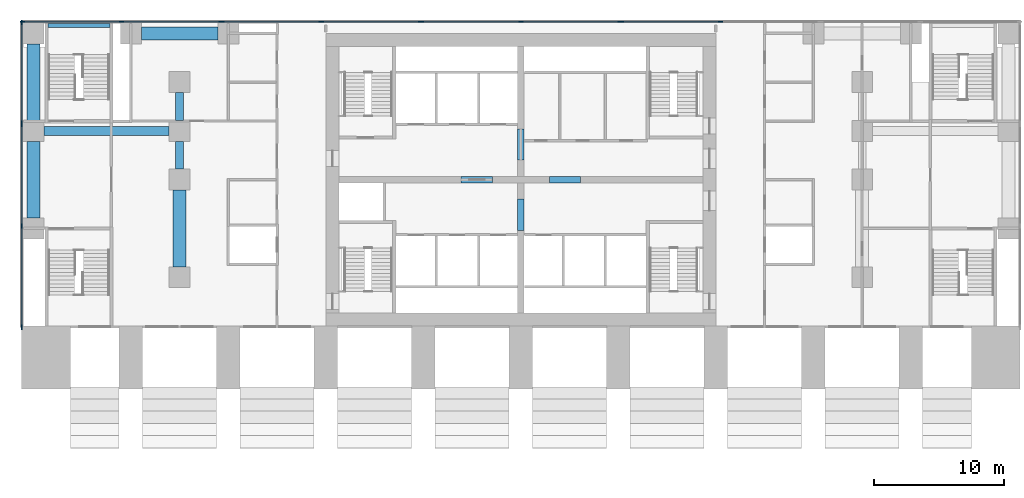
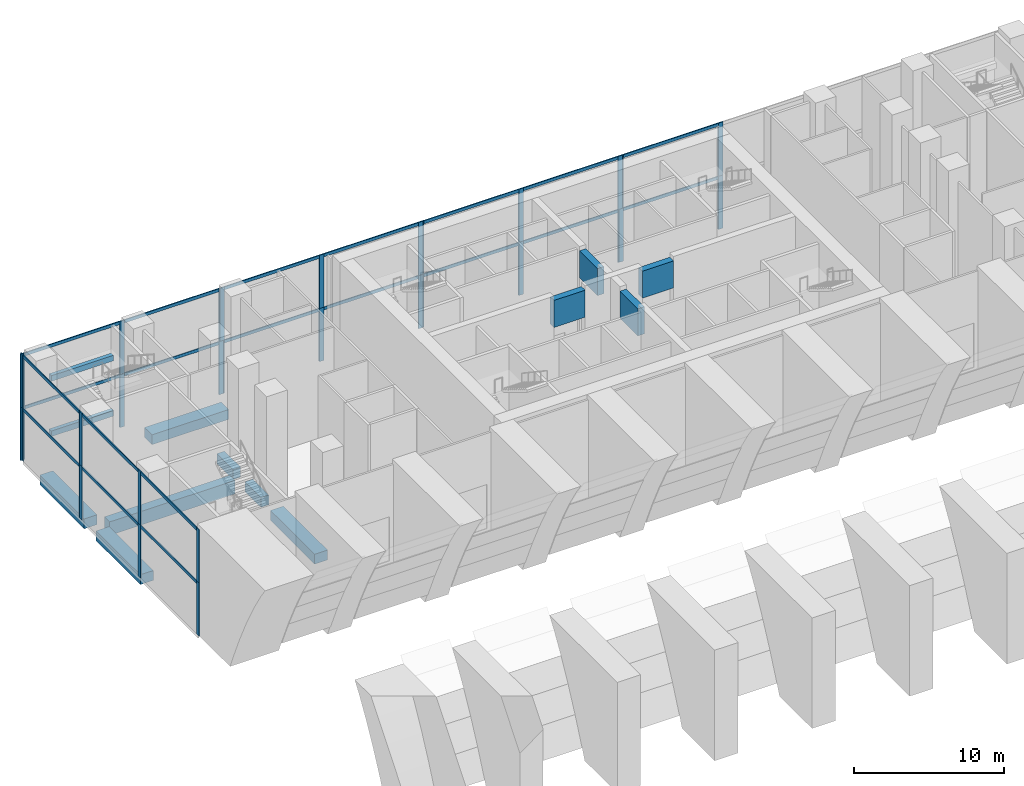
# One storey, part 2 of 14: 52 members, 13 beams, 12 elements without a shape of their own.
"""IFC4 building model written with IfcOpenShell, lengths in metres."""

from ifc_helpers import new_model, si_unit, direction, frame, origin, origin_2d, place, context, subcontext, project, spatial, rectangle, extrude, material, material_profile, profile_set, type_object, element, aggregate, save


model = new_model("IFC4")

# Units and contexts
model_context = context("Model", 3, precision=1e-05, world=origin(), true_north=direction((0.0, 1.0)))
body_context = subcontext(model_context, "Body", "Model", "MODEL_VIEW")
ifc_project = project(units=[si_unit("LENGTHUNIT", "METRE"), si_unit("AREAUNIT", "SQUARE_METRE"), si_unit("VOLUMEUNIT", "CUBIC_METRE"), si_unit("PLANEANGLEUNIT", "RADIAN"), si_unit("MASSUNIT", "GRAM", prefix="KILO")], contexts=[model_context])

# Site, building, storey
site_placement = place(None, origin())
site = spatial("IfcSite", under=ifc_project, at=site_placement, CompositionType="ELEMENT")
building_placement = place(site_placement, origin())
building = spatial("IfcBuilding", under=site, at=building_placement, Name="Pilkhan Gate Tower", CompositionType="ELEMENT")
storey_placement = place(building_placement, frame((0.0, 0.0, 7.5)))
storey = spatial("IfcBuildingStorey", under=building, at=storey_placement, Name="L01", CompositionType="ELEMENT", Elevation=7.5)

# Beams
ifc_material_1 = material(Name="Concrete C70/85", Category="concrete")
ifc_material_profile_1 = material_profile(ifc_material_1, rectangle(XDim=0.5, YDim=2.199951171875, at=origin_2d()), Name="RC 500x2200")
ifc_profile_set_1 = profile_set([ifc_material_profile_1], Name="Concrete C70/85")
beam_type_1 = type_object("IfcBeamType", Name="Coupling beam CB220 RC 500x2200 C70/85", PredefinedType="LINTEL", material=ifc_profile_set_1)
for number, where, z_axis, x_axis, name in (
    (1, (70.39990234375, 82.5, 7.550048828125), (1.0, 0.0, 0.0), (0.0, 1.0, 0.0), "Coupling beam 1 L01"),
    (2, (77.199951171875, 82.5, 7.550048828125), (1.0, 0.0, 0.0), (0.0, 1.0, 0.0), "Coupling beam 2 L01"),
):
    element("IfcBeam", number, at=place(storey_placement, frame(where, z_axis=z_axis, x_axis=x_axis)), inside=storey, type_object=beam_type_1, Name=name, PredefinedType="LINTEL", context=body_context, shape_type="SweptSolid", body=[
        extrude(rectangle(XDim=0.5, YDim=2.199951171875, at=origin_2d()), origin(), (0.0, 0.0, 1.0), 2.400146484375),
    ])
for number, where, z_axis, x_axis, name in (
    (3, (75.0, 78.60009765625, 7.550048828125), (0.0, 1.0, 0.0), (-1.0, 0.0, 0.0), "Coupling beam 3 L01"),
    (4, (75.0, 84.0, 7.550048828125), (0.0, 1.0, 0.0), (-1.0, 0.0, 0.0), "Coupling beam 4 L01"),
):
    element("IfcBeam", number, at=place(storey_placement, frame(where, z_axis=z_axis, x_axis=x_axis)), inside=storey, type_object=beam_type_1, Name=name, PredefinedType="LINTEL", context=body_context, shape_type="SweptSolid", body=[
        extrude(rectangle(XDim=0.5, YDim=2.199951171875, at=origin_2d()), origin(), (0.0, 0.0, 1.0), 2.39990234375),
    ])
ifc_material_2 = material(Name="Concrete C50/60", Category="concrete")
ifc_material_profile_2 = material_profile(ifc_material_2, rectangle(XDim=0.300048828125, YDim=0.449951171875, at=origin_2d()), Name="RC 300x450")
ifc_profile_set_2 = profile_set([ifc_material_profile_2], Name="Concrete C50/60")
beam_type_2 = type_object("IfcBeamType", Name="Landing support beam LB RC 300x450 C50/60", PredefinedType="BEAM", material=ifc_profile_set_2)
for number, where, z_axis, x_axis, name in (
    (5, (38.60498046875, 94.35009765625, 1.675048828125), (1.0, 0.0, 0.0), (0.0, 1.0, 0.0), "Landing support beam PS1-1 L01"),
    (6, (38.60498046875, 94.35009765625, 6.175048828125), (1.0, 0.0, 0.0), (0.0, 1.0, 0.0), "Landing support beam PS1-3 L01"),
):
    element("IfcBeam", number, at=place(storey_placement, frame(where, z_axis=z_axis, x_axis=x_axis)), inside=storey, type_object=beam_type_2, Name=name, PredefinedType="BEAM", context=body_context, shape_type="SweptSolid", body=[
        extrude(rectangle(XDim=0.300048828125, YDim=0.449951171875, at=origin_2d()), origin(), (0.0, 0.0, 1.0), 4.7900390625),
    ])

# Curtain wall, members
ifc_material_3 = material(Name="Pale anodised aluminium, clear low-iron laminated glazing", Category="aluminium")
curtain_wall_type = type_object("IfcCurtainWallType", Name="Podium unitised curtain wall CW-P", PredefinedType="USERDEFINED", material=ifc_material_3)
curtain_wall_1_placement = place(storey_placement, origin())
curtain_wall_1 = element("IfcCurtainWall", 7, at=curtain_wall_1_placement, inside=storey, type_object=curtain_wall_type, Name="Podium unitised curtain wall CW-P L01 N", ObjectType="UNITISED CURTAIN WALL", PredefinedType="USERDEFINED")
ifc_material_4 = material(Name="Pale anodised aluminium", Category="aluminium")
ifc_material_profile_3 = material_profile(ifc_material_4, rectangle(XDim=0.080078125, YDim=0.35009765625, at=origin_2d()), Name="Mullion 350x80")
ifc_profile_set_3 = profile_set([ifc_material_profile_3], Name="Pale anodised aluminium")
member_type_1 = type_object("IfcMemberType", Name="Mullion CW-P 350x80", PredefinedType="MULLION", material=ifc_profile_set_3)
member_1_placement = place(storey_placement, frame((36.64501953125, 94.64501953125, 0.0), z_axis=(0.0, 0.0, 1.0), x_axis=(0.0, 1.0, 0.0)))
member_1 = element("IfcMember", 8, at=member_1_placement, type_object=member_type_1, Name="CW-P mullion 1", PredefinedType="MULLION", context=body_context, shape_type="SweptSolid", body=[
    extrude(rectangle(XDim=0.080078125, YDim=0.35009765625, at=origin_2d()), origin(), (0.0, 0.0, 1.0), 4.324951171875),
])
member_2_placement = place(storey_placement, frame((44.283935546875, 94.64501953125, 0.0), z_axis=(0.0, 0.0, 1.0), x_axis=(0.0, 1.0, 0.0)))
member_2 = element("IfcMember", 9, at=member_2_placement, type_object=member_type_1, Name="CW-P mullion 2", PredefinedType="MULLION", context=body_context, shape_type="SweptSolid", body=[
    extrude(rectangle(XDim=0.080078125, YDim=0.35009765625, at=origin_2d()), origin(), (0.0, 0.0, 1.0), 4.324951171875),
])
member_3_placement = place(storey_placement, frame((51.923095703125, 94.64501953125, 0.0), z_axis=(0.0, 0.0, 1.0), x_axis=(0.0, 1.0, 0.0)))
member_3 = element("IfcMember", 10, at=member_3_placement, type_object=member_type_1, Name="CW-P mullion 3", PredefinedType="MULLION", context=body_context, shape_type="SweptSolid", body=[
    extrude(rectangle(XDim=0.080078125, YDim=0.35009765625, at=origin_2d()), origin(), (0.0, 0.0, 1.0), 4.324951171875),
])

curtain_wall_2_placement = place(storey_placement, origin())
curtain_wall_2 = element("IfcCurtainWall", 11, at=curtain_wall_2_placement, inside=storey, type_object=curtain_wall_type, Name="Podium unitised curtain wall CW-P L01 N", ObjectType="UNITISED CURTAIN WALL", PredefinedType="USERDEFINED")
member_4_placement = place(storey_placement, frame((52.0029296875, 94.64501953125, 0.0), z_axis=(0.0, 0.0, 1.0), x_axis=(0.0, 1.0, 0.0)))
member_4 = element("IfcMember", 12, at=member_4_placement, type_object=member_type_1, Name="CW-P mullion 1", PredefinedType="MULLION", context=body_context, shape_type="SweptSolid", body=[
    extrude(rectangle(XDim=0.080078125, YDim=0.35009765625, at=origin_2d()), origin(), (0.0, 0.0, 1.0), 4.324951171875),
])
member_5_placement = place(storey_placement, frame((59.64208984375, 94.64501953125, 0.0), z_axis=(0.0, 0.0, 1.0), x_axis=(0.0, 1.0, 0.0)))
member_5 = element("IfcMember", 13, at=member_5_placement, type_object=member_type_1, Name="CW-P mullion 2", PredefinedType="MULLION", context=body_context, shape_type="SweptSolid", body=[
    extrude(rectangle(XDim=0.080078125, YDim=0.35009765625, at=origin_2d()), origin(), (0.0, 0.0, 1.0), 4.324951171875),
])
member_6_placement = place(storey_placement, frame((67.281005859375, 94.64501953125, 0.0), z_axis=(0.0, 0.0, 1.0), x_axis=(0.0, 1.0, 0.0)))
member_6 = element("IfcMember", 14, at=member_6_placement, type_object=member_type_1, Name="CW-P mullion 3", PredefinedType="MULLION", context=body_context, shape_type="SweptSolid", body=[
    extrude(rectangle(XDim=0.080078125, YDim=0.35009765625, at=origin_2d()), origin(), (0.0, 0.0, 1.0), 4.324951171875),
])

curtain_wall_3_placement = place(storey_placement, origin())
curtain_wall_3 = element("IfcCurtainWall", 15, at=curtain_wall_3_placement, inside=storey, type_object=curtain_wall_type, Name="Podium unitised curtain wall CW-P L01 N", ObjectType="UNITISED CURTAIN WALL", PredefinedType="USERDEFINED")
member_7_placement = place(storey_placement, frame((67.361083984375, 94.64501953125, 0.0), z_axis=(0.0, 0.0, 1.0), x_axis=(0.0, 1.0, 0.0)))
member_7 = element("IfcMember", 16, at=member_7_placement, type_object=member_type_1, Name="CW-P mullion 1", PredefinedType="MULLION", context=body_context, shape_type="SweptSolid", body=[
    extrude(rectangle(XDim=0.080078125, YDim=0.35009765625, at=origin_2d()), origin(), (0.0, 0.0, 1.0), 4.324951171875),
])
member_8_placement = place(storey_placement, frame((75.0, 94.64501953125, 0.0), z_axis=(0.0, 0.0, 1.0), x_axis=(0.0, 1.0, 0.0)))
member_8 = element("IfcMember", 17, at=member_8_placement, type_object=member_type_1, Name="CW-P mullion 2", PredefinedType="MULLION", context=body_context, shape_type="SweptSolid", body=[
    extrude(rectangle(XDim=0.080078125, YDim=0.35009765625, at=origin_2d()), origin(), (0.0, 0.0, 1.0), 4.324951171875),
])
member_9_placement = place(storey_placement, frame((82.638916015625, 94.64501953125, 0.0), z_axis=(0.0, 0.0, 1.0), x_axis=(0.0, 1.0, 0.0)))
member_9 = element("IfcMember", 18, at=member_9_placement, type_object=member_type_1, Name="CW-P mullion 3", PredefinedType="MULLION", context=body_context, shape_type="SweptSolid", body=[
    extrude(rectangle(XDim=0.080078125, YDim=0.35009765625, at=origin_2d()), origin(), (0.0, 0.0, 1.0), 4.324951171875),
])

curtain_wall_4_placement = place(storey_placement, origin())
curtain_wall_4 = element("IfcCurtainWall", 19, at=curtain_wall_4_placement, inside=storey, type_object=curtain_wall_type, Name="Podium unitised curtain wall CW-P L01 N", ObjectType="UNITISED CURTAIN WALL", PredefinedType="USERDEFINED")
member_10_placement = place(storey_placement, frame((82.718994140625, 94.64501953125, 0.0), z_axis=(0.0, 0.0, 1.0), x_axis=(0.0, 1.0, 0.0)))
member_10 = element("IfcMember", 20, at=member_10_placement, type_object=member_type_1, Name="CW-P mullion 1", PredefinedType="MULLION", context=body_context, shape_type="SweptSolid", body=[
    extrude(rectangle(XDim=0.080078125, YDim=0.35009765625, at=origin_2d()), origin(), (0.0, 0.0, 1.0), 4.324951171875),
])
member_11_placement = place(storey_placement, frame((90.35791015625, 94.64501953125, 0.0), z_axis=(0.0, 0.0, 1.0), x_axis=(0.0, 1.0, 0.0)))
member_11 = element("IfcMember", 21, at=member_11_placement, type_object=member_type_1, Name="CW-P mullion 2", PredefinedType="MULLION", context=body_context, shape_type="SweptSolid", body=[
    extrude(rectangle(XDim=0.080078125, YDim=0.35009765625, at=origin_2d()), origin(), (0.0, 0.0, 1.0), 4.324951171875),
])

curtain_wall_5_placement = place(storey_placement, origin())
curtain_wall_5 = element("IfcCurtainWall", 22, at=curtain_wall_5_placement, inside=storey, type_object=curtain_wall_type, Name="Podium unitised curtain wall CW-P L01 N", ObjectType="UNITISED CURTAIN WALL", PredefinedType="USERDEFINED")
member_12_placement = place(storey_placement, frame((36.64501953125, 94.64501953125, 4.324951171875), z_axis=(0.0, 0.0, 1.0), x_axis=(0.0, 1.0, 0.0)))
member_12 = element("IfcMember", 23, at=member_12_placement, type_object=member_type_1, Name="CW-P mullion 1", PredefinedType="MULLION", context=body_context, shape_type="SweptSolid", body=[
    extrude(rectangle(XDim=0.080078125, YDim=0.35009765625, at=origin_2d()), origin(), (0.0, 0.0, 1.0), 4.324951171875),
])
member_13_placement = place(storey_placement, frame((44.283935546875, 94.64501953125, 4.324951171875), z_axis=(0.0, 0.0, 1.0), x_axis=(0.0, 1.0, 0.0)))
member_13 = element("IfcMember", 24, at=member_13_placement, type_object=member_type_1, Name="CW-P mullion 2", PredefinedType="MULLION", context=body_context, shape_type="SweptSolid", body=[
    extrude(rectangle(XDim=0.080078125, YDim=0.35009765625, at=origin_2d()), origin(), (0.0, 0.0, 1.0), 4.324951171875),
])
member_14_placement = place(storey_placement, frame((51.923095703125, 94.64501953125, 4.324951171875), z_axis=(0.0, 0.0, 1.0), x_axis=(0.0, 1.0, 0.0)))
member_14 = element("IfcMember", 25, at=member_14_placement, type_object=member_type_1, Name="CW-P mullion 3", PredefinedType="MULLION", context=body_context, shape_type="SweptSolid", body=[
    extrude(rectangle(XDim=0.080078125, YDim=0.35009765625, at=origin_2d()), origin(), (0.0, 0.0, 1.0), 4.324951171875),
])

curtain_wall_6_placement = place(storey_placement, origin())
curtain_wall_6 = element("IfcCurtainWall", 26, at=curtain_wall_6_placement, inside=storey, type_object=curtain_wall_type, Name="Podium unitised curtain wall CW-P L01 N", ObjectType="UNITISED CURTAIN WALL", PredefinedType="USERDEFINED")
member_15_placement = place(storey_placement, frame((52.0029296875, 94.64501953125, 4.324951171875), z_axis=(0.0, 0.0, 1.0), x_axis=(0.0, 1.0, 0.0)))
member_15 = element("IfcMember", 27, at=member_15_placement, type_object=member_type_1, Name="CW-P mullion 1", PredefinedType="MULLION", context=body_context, shape_type="SweptSolid", body=[
    extrude(rectangle(XDim=0.080078125, YDim=0.35009765625, at=origin_2d()), origin(), (0.0, 0.0, 1.0), 4.324951171875),
])
member_16_placement = place(storey_placement, frame((59.64208984375, 94.64501953125, 4.324951171875), z_axis=(0.0, 0.0, 1.0), x_axis=(0.0, 1.0, 0.0)))
member_16 = element("IfcMember", 28, at=member_16_placement, type_object=member_type_1, Name="CW-P mullion 2", PredefinedType="MULLION", context=body_context, shape_type="SweptSolid", body=[
    extrude(rectangle(XDim=0.080078125, YDim=0.35009765625, at=origin_2d()), origin(), (0.0, 0.0, 1.0), 4.324951171875),
])
member_17_placement = place(storey_placement, frame((67.281005859375, 94.64501953125, 4.324951171875), z_axis=(0.0, 0.0, 1.0), x_axis=(0.0, 1.0, 0.0)))
member_17 = element("IfcMember", 29, at=member_17_placement, type_object=member_type_1, Name="CW-P mullion 3", PredefinedType="MULLION", context=body_context, shape_type="SweptSolid", body=[
    extrude(rectangle(XDim=0.080078125, YDim=0.35009765625, at=origin_2d()), origin(), (0.0, 0.0, 1.0), 4.324951171875),
])

curtain_wall_7_placement = place(storey_placement, origin())
curtain_wall_7 = element("IfcCurtainWall", 30, at=curtain_wall_7_placement, inside=storey, type_object=curtain_wall_type, Name="Podium unitised curtain wall CW-P L01 N", ObjectType="UNITISED CURTAIN WALL", PredefinedType="USERDEFINED")
member_18_placement = place(storey_placement, frame((67.361083984375, 94.64501953125, 4.324951171875), z_axis=(0.0, 0.0, 1.0), x_axis=(0.0, 1.0, 0.0)))
member_18 = element("IfcMember", 31, at=member_18_placement, type_object=member_type_1, Name="CW-P mullion 1", PredefinedType="MULLION", context=body_context, shape_type="SweptSolid", body=[
    extrude(rectangle(XDim=0.080078125, YDim=0.35009765625, at=origin_2d()), origin(), (0.0, 0.0, 1.0), 4.324951171875),
])
member_19_placement = place(storey_placement, frame((75.0, 94.64501953125, 4.324951171875), z_axis=(0.0, 0.0, 1.0), x_axis=(0.0, 1.0, 0.0)))
member_19 = element("IfcMember", 32, at=member_19_placement, type_object=member_type_1, Name="CW-P mullion 2", PredefinedType="MULLION", context=body_context, shape_type="SweptSolid", body=[
    extrude(rectangle(XDim=0.080078125, YDim=0.35009765625, at=origin_2d()), origin(), (0.0, 0.0, 1.0), 4.324951171875),
])
member_20_placement = place(storey_placement, frame((82.638916015625, 94.64501953125, 4.324951171875), z_axis=(0.0, 0.0, 1.0), x_axis=(0.0, 1.0, 0.0)))
member_20 = element("IfcMember", 33, at=member_20_placement, type_object=member_type_1, Name="CW-P mullion 3", PredefinedType="MULLION", context=body_context, shape_type="SweptSolid", body=[
    extrude(rectangle(XDim=0.080078125, YDim=0.35009765625, at=origin_2d()), origin(), (0.0, 0.0, 1.0), 4.324951171875),
])

curtain_wall_8_placement = place(storey_placement, origin())
curtain_wall_8 = element("IfcCurtainWall", 34, at=curtain_wall_8_placement, inside=storey, type_object=curtain_wall_type, Name="Podium unitised curtain wall CW-P L01 N", ObjectType="UNITISED CURTAIN WALL", PredefinedType="USERDEFINED")
member_21_placement = place(storey_placement, frame((82.718994140625, 94.64501953125, 4.324951171875), z_axis=(0.0, 0.0, 1.0), x_axis=(0.0, 1.0, 0.0)))
member_21 = element("IfcMember", 35, at=member_21_placement, type_object=member_type_1, Name="CW-P mullion 1", PredefinedType="MULLION", context=body_context, shape_type="SweptSolid", body=[
    extrude(rectangle(XDim=0.080078125, YDim=0.35009765625, at=origin_2d()), origin(), (0.0, 0.0, 1.0), 4.324951171875),
])
member_22_placement = place(storey_placement, frame((90.35791015625, 94.64501953125, 4.324951171875), z_axis=(0.0, 0.0, 1.0), x_axis=(0.0, 1.0, 0.0)))
member_22 = element("IfcMember", 36, at=member_22_placement, type_object=member_type_1, Name="CW-P mullion 2", PredefinedType="MULLION", context=body_context, shape_type="SweptSolid", body=[
    extrude(rectangle(XDim=0.080078125, YDim=0.35009765625, at=origin_2d()), origin(), (0.0, 0.0, 1.0), 4.324951171875),
])

curtain_wall_9_placement = place(storey_placement, origin())
curtain_wall_9 = element("IfcCurtainWall", 37, at=curtain_wall_9_placement, inside=storey, type_object=curtain_wall_type, Name="Podium unitised curtain wall CW-P L01 W", ObjectType="UNITISED CURTAIN WALL", PredefinedType="USERDEFINED")
member_23_placement = place(storey_placement, frame((36.60498046875, 71.14501953125, 0.0), z_axis=(0.0, 0.0, 1.0), x_axis=(-1.0, 0.0, 0.0)))
member_23 = element("IfcMember", 38, at=member_23_placement, type_object=member_type_1, Name="CW-P mullion 1", PredefinedType="MULLION", context=body_context, shape_type="SweptSolid", body=[
    extrude(rectangle(XDim=0.080078125, YDim=0.35009765625, at=origin_2d()), origin(), (0.0, 0.0, 1.0), 4.324951171875),
])
member_24_placement = place(storey_placement, frame((36.60498046875, 78.95166015625, 0.0), z_axis=(0.0, 0.0, 1.0), x_axis=(-1.0, 0.0, 0.0)))
member_24 = element("IfcMember", 39, at=member_24_placement, type_object=member_type_1, Name="CW-P mullion 2", PredefinedType="MULLION", context=body_context, shape_type="SweptSolid", body=[
    extrude(rectangle(XDim=0.080078125, YDim=0.35009765625, at=origin_2d()), origin(), (0.0, 0.0, 1.0), 4.324951171875),
])
member_25_placement = place(storey_placement, frame((36.60498046875, 86.75830078125, 0.0), z_axis=(0.0, 0.0, 1.0), x_axis=(-1.0, 0.0, 0.0)))
member_25 = element("IfcMember", 40, at=member_25_placement, type_object=member_type_1, Name="CW-P mullion 3", PredefinedType="MULLION", context=body_context, shape_type="SweptSolid", body=[
    extrude(rectangle(XDim=0.080078125, YDim=0.35009765625, at=origin_2d()), origin(), (0.0, 0.0, 1.0), 4.324951171875),
])

curtain_wall_10_placement = place(storey_placement, origin())
curtain_wall_10 = element("IfcCurtainWall", 41, at=curtain_wall_10_placement, inside=storey, type_object=curtain_wall_type, Name="Podium unitised curtain wall CW-P L01 W", ObjectType="UNITISED CURTAIN WALL", PredefinedType="USERDEFINED")
member_26_placement = place(storey_placement, frame((36.60498046875, 86.83837890625, 0.0), z_axis=(0.0, 0.0, 1.0), x_axis=(-1.0, 0.0, 0.0)))
member_26 = element("IfcMember", 42, at=member_26_placement, type_object=member_type_1, Name="CW-P mullion 1", PredefinedType="MULLION", context=body_context, shape_type="SweptSolid", body=[
    extrude(rectangle(XDim=0.080078125, YDim=0.35009765625, at=origin_2d()), origin(), (0.0, 0.0, 1.0), 4.324951171875),
])
member_27_placement = place(storey_placement, frame((36.60498046875, 94.60498046875, 0.0), z_axis=(0.0, 0.0, 1.0), x_axis=(-1.0, 0.0, 0.0)))
member_27 = element("IfcMember", 43, at=member_27_placement, type_object=member_type_1, Name="CW-P mullion 2", PredefinedType="MULLION", context=body_context, shape_type="SweptSolid", body=[
    extrude(rectangle(XDim=0.080078125, YDim=0.35009765625, at=origin_2d()), origin(), (0.0, 0.0, 1.0), 4.324951171875),
])

curtain_wall_11_placement = place(storey_placement, origin())
curtain_wall_11 = element("IfcCurtainWall", 44, at=curtain_wall_11_placement, inside=storey, type_object=curtain_wall_type, Name="Podium unitised curtain wall CW-P L01 W", ObjectType="UNITISED CURTAIN WALL", PredefinedType="USERDEFINED")
member_28_placement = place(storey_placement, frame((36.60498046875, 71.14501953125, 4.324951171875), z_axis=(0.0, 0.0, 1.0), x_axis=(-1.0, 0.0, 0.0)))
member_28 = element("IfcMember", 45, at=member_28_placement, type_object=member_type_1, Name="CW-P mullion 1", PredefinedType="MULLION", context=body_context, shape_type="SweptSolid", body=[
    extrude(rectangle(XDim=0.080078125, YDim=0.35009765625, at=origin_2d()), origin(), (0.0, 0.0, 1.0), 4.324951171875),
])
member_29_placement = place(storey_placement, frame((36.60498046875, 78.95166015625, 4.324951171875), z_axis=(0.0, 0.0, 1.0), x_axis=(-1.0, 0.0, 0.0)))
member_29 = element("IfcMember", 46, at=member_29_placement, type_object=member_type_1, Name="CW-P mullion 2", PredefinedType="MULLION", context=body_context, shape_type="SweptSolid", body=[
    extrude(rectangle(XDim=0.080078125, YDim=0.35009765625, at=origin_2d()), origin(), (0.0, 0.0, 1.0), 4.324951171875),
])
member_30_placement = place(storey_placement, frame((36.60498046875, 86.75830078125, 4.324951171875), z_axis=(0.0, 0.0, 1.0), x_axis=(-1.0, 0.0, 0.0)))
member_30 = element("IfcMember", 47, at=member_30_placement, type_object=member_type_1, Name="CW-P mullion 3", PredefinedType="MULLION", context=body_context, shape_type="SweptSolid", body=[
    extrude(rectangle(XDim=0.080078125, YDim=0.35009765625, at=origin_2d()), origin(), (0.0, 0.0, 1.0), 4.324951171875),
])

curtain_wall_12_placement = place(storey_placement, origin())
curtain_wall_12 = element("IfcCurtainWall", 48, at=curtain_wall_12_placement, inside=storey, type_object=curtain_wall_type, Name="Podium unitised curtain wall CW-P L01 W", ObjectType="UNITISED CURTAIN WALL", PredefinedType="USERDEFINED")
member_31_placement = place(storey_placement, frame((36.60498046875, 86.83837890625, 4.324951171875), z_axis=(0.0, 0.0, 1.0), x_axis=(-1.0, 0.0, 0.0)))
member_31 = element("IfcMember", 49, at=member_31_placement, type_object=member_type_1, Name="CW-P mullion 1", PredefinedType="MULLION", context=body_context, shape_type="SweptSolid", body=[
    extrude(rectangle(XDim=0.080078125, YDim=0.35009765625, at=origin_2d()), origin(), (0.0, 0.0, 1.0), 4.324951171875),
])
member_32_placement = place(storey_placement, frame((36.60498046875, 94.60498046875, 4.324951171875), z_axis=(0.0, 0.0, 1.0), x_axis=(-1.0, 0.0, 0.0)))
member_32 = element("IfcMember", 50, at=member_32_placement, type_object=member_type_1, Name="CW-P mullion 2", PredefinedType="MULLION", context=body_context, shape_type="SweptSolid", body=[
    extrude(rectangle(XDim=0.080078125, YDim=0.35009765625, at=origin_2d()), origin(), (0.0, 0.0, 1.0), 4.324951171875),
])

# Beams
ifc_material_profile_4 = material_profile(ifc_material_2, rectangle(XDim=0.699951171875, YDim=1.10009765625, at=origin_2d()), Name="RC 700x1100")
ifc_profile_set_4 = profile_set([ifc_material_profile_4], Name="Concrete C50/60")
beam_type_3 = type_object("IfcBeamType", Name="Podium girder PG110 RC 700x1100 C50/60", PredefinedType="BEAM", material=ifc_profile_set_4)
beam_placement = place(storey_placement, frame((38.300048828125, 86.25, -0.89990234375), z_axis=(1.0, 0.0, 0.0), x_axis=(0.0, 1.0, 0.0)))
element("IfcBeam", 51, at=beam_placement, inside=storey, type_object=beam_type_3, Name="Podium beam 3 L01", PredefinedType="BEAM", context=body_context, shape_type="SweptSolid", body=[
    extrude(rectangle(XDim=0.699951171875, YDim=1.10009765625, at=origin_2d()), origin(), (0.0, 0.0, 1.0), 9.64990234375),
])
ifc_material_profile_5 = material_profile(ifc_material_2, rectangle(XDim=1.0, YDim=0.800048828125, at=origin_2d()), Name="RC 1000x800")
ifc_profile_set_5 = profile_set([ifc_material_profile_5], Name="Concrete C50/60")
beam_type_4 = type_object("IfcBeamType", Name="Podium joist PJ80 RC 1000x800 C50/60", PredefinedType="JOIST", material=ifc_profile_set_5)
for number, where, z_axis, x_axis, name in (
    (52, (37.5, 79.550048828125, -0.75), (0.0, 1.0, 0.0), (-1.0, 0.0, 0.0), "Podium beam 1 L01"),
    (53, (37.5, 87.050048828125, -0.75), (0.0, 1.0, 0.0), (-1.0, 0.0, 0.0), "Podium beam 2 L01"),
    (54, (45.800048828125, 93.75, -0.75), (1.0, 0.0, 0.0), (0.0, 1.0, 0.0), "Podium beam 4 L01"),
    (55, (48.75, 75.800048828125, -0.75), (0.0, 1.0, 0.0), (-1.0, 0.0, 0.0), "Podium beam 5 L01"),
):
    element("IfcBeam", number, at=place(storey_placement, frame(where, z_axis=z_axis, x_axis=x_axis)), inside=storey, type_object=beam_type_4, Name=name, PredefinedType="JOIST", context=body_context, shape_type="SweptSolid", body=[
        extrude(rectangle(XDim=1.0, YDim=0.800048828125, at=origin_2d()), origin(), (0.0, 0.0, 1.0), 5.89990234375),
    ])
ifc_material_profile_6 = material_profile(ifc_material_2, rectangle(XDim=0.60009765625, YDim=0.800048828125, at=origin_2d()), Name="RC 600x800")
ifc_profile_set_6 = profile_set([ifc_material_profile_6], Name="Concrete C50/60")
beam_type_5 = type_object("IfcBeamType", Name="Podium joist PJ81 RC 600x800 C50/60", PredefinedType="JOIST", material=ifc_profile_set_6)
for number, where, z_axis, x_axis, name in (
    (56, (48.75, 83.300048828125, -0.75), (0.0, 1.0, 0.0), (-1.0, 0.0, 0.0), "Podium beam 6 L01"),
    (57, (48.75, 87.050048828125, -0.75), (0.0, 1.0, 0.0), (-1.0, 0.0, 0.0), "Podium beam 7 L01"),
):
    element("IfcBeam", number, at=place(storey_placement, frame(where, z_axis=z_axis, x_axis=x_axis)), inside=storey, type_object=beam_type_5, Name=name, PredefinedType="JOIST", context=body_context, shape_type="SweptSolid", body=[
        extrude(rectangle(XDim=0.60009765625, YDim=0.800048828125, at=origin_2d()), origin(), (0.0, 0.0, 1.0), 2.14990234375),
    ])

# Member
ifc_material_profile_7 = material_profile(ifc_material_4, rectangle(XDim=0.080078125, YDim=0.25, at=origin_2d()), Name="Transom 250x80")
ifc_profile_set_7 = profile_set([ifc_material_profile_7], Name="Pale anodised aluminium")
member_type_2 = type_object("IfcMemberType", Name="Transom CW-P 250x80", PredefinedType="USERDEFINED", material=ifc_profile_set_7)
member_33_placement = place(storey_placement, frame((36.68505859375, 94.64501953125, 4.199951171875), z_axis=(1.0, 0.0, 0.0), x_axis=(0.0, 1.0, 0.0)))
member_33 = element("IfcMember", 58, at=member_33_placement, type_object=member_type_2, Name="CW-P transom 1", ObjectType="TRANSOM", PredefinedType="USERDEFINED", context=body_context, shape_type="SweptSolid", body=[
    extrude(rectangle(XDim=0.080078125, YDim=0.25, at=origin_2d()), origin(), (0.0, 0.0, 1.0), 7.558837890625),
])

member_34_placement = place(storey_placement, frame((44.323974609375, 94.64501953125, 4.199951171875), z_axis=(1.0, 0.0, 0.0), x_axis=(0.0, 1.0, 0.0)))
member_34 = element("IfcMember", 59, at=member_34_placement, type_object=member_type_2, Name="CW-P transom 2", ObjectType="TRANSOM", PredefinedType="USERDEFINED", context=body_context, shape_type="SweptSolid", body=[
    extrude(rectangle(XDim=0.080078125, YDim=0.25, at=origin_2d()), origin(), (0.0, 0.0, 1.0), 7.55908203125),
])

aggregate(curtain_wall_1, [member_1, member_2, member_3, member_33, member_34])

member_35_placement = place(storey_placement, frame((52.04296875, 94.64501953125, 4.199951171875), z_axis=(1.0, 0.0, 0.0), x_axis=(0.0, 1.0, 0.0)))
member_35 = element("IfcMember", 60, at=member_35_placement, type_object=member_type_2, Name="CW-P transom 1", ObjectType="TRANSOM", PredefinedType="USERDEFINED", context=body_context, shape_type="SweptSolid", body=[
    extrude(rectangle(XDim=0.080078125, YDim=0.25, at=origin_2d()), origin(), (0.0, 0.0, 1.0), 7.55908203125),
])

member_36_placement = place(storey_placement, frame((59.681884765625, 94.64501953125, 4.199951171875), z_axis=(1.0, 0.0, 0.0), x_axis=(0.0, 1.0, 0.0)))
member_36 = element("IfcMember", 61, at=member_36_placement, type_object=member_type_2, Name="CW-P transom 2", ObjectType="TRANSOM", PredefinedType="USERDEFINED", context=body_context, shape_type="SweptSolid", body=[
    extrude(rectangle(XDim=0.080078125, YDim=0.25, at=origin_2d()), origin(), (0.0, 0.0, 1.0), 7.55908203125),
])

aggregate(curtain_wall_2, [member_4, member_5, member_6, member_35, member_36])

member_37_placement = place(storey_placement, frame((67.40087890625, 94.64501953125, 4.199951171875), z_axis=(1.0, 0.0, 0.0), x_axis=(0.0, 1.0, 0.0)))
member_37 = element("IfcMember", 62, at=member_37_placement, type_object=member_type_2, Name="CW-P transom 1", ObjectType="TRANSOM", PredefinedType="USERDEFINED", context=body_context, shape_type="SweptSolid", body=[
    extrude(rectangle(XDim=0.080078125, YDim=0.25, at=origin_2d()), origin(), (0.0, 0.0, 1.0), 7.55908203125),
])

member_38_placement = place(storey_placement, frame((75.0400390625, 94.64501953125, 4.199951171875), z_axis=(1.0, 0.0, 0.0), x_axis=(0.0, 1.0, 0.0)))
member_38 = element("IfcMember", 63, at=member_38_placement, type_object=member_type_2, Name="CW-P transom 2", ObjectType="TRANSOM", PredefinedType="USERDEFINED", context=body_context, shape_type="SweptSolid", body=[
    extrude(rectangle(XDim=0.080078125, YDim=0.25, at=origin_2d()), origin(), (0.0, 0.0, 1.0), 7.55908203125),
])

aggregate(curtain_wall_3, [member_7, member_8, member_9, member_37, member_38])

member_39_placement = place(storey_placement, frame((82.759033203125, 94.64501953125, 4.199951171875), z_axis=(1.0, 0.0, 0.0), x_axis=(0.0, 1.0, 0.0)))
member_39 = element("IfcMember", 64, at=member_39_placement, type_object=member_type_2, Name="CW-P transom 1", ObjectType="TRANSOM", PredefinedType="USERDEFINED", context=body_context, shape_type="SweptSolid", body=[
    extrude(rectangle(XDim=0.080078125, YDim=0.25, at=origin_2d()), origin(), (0.0, 0.0, 1.0), 7.55908203125),
])

aggregate(curtain_wall_4, [member_10, member_11, member_39])

member_40_placement = place(storey_placement, frame((36.68505859375, 94.64501953125, 8.52490234375), z_axis=(1.0, 0.0, 0.0), x_axis=(0.0, 1.0, 0.0)))
member_40 = element("IfcMember", 65, at=member_40_placement, type_object=member_type_2, Name="CW-P transom 1", ObjectType="TRANSOM", PredefinedType="USERDEFINED", context=body_context, shape_type="SweptSolid", body=[
    extrude(rectangle(XDim=0.080078125, YDim=0.25, at=origin_2d()), origin(), (0.0, 0.0, 1.0), 7.558837890625),
])

member_41_placement = place(storey_placement, frame((44.323974609375, 94.64501953125, 8.52490234375), z_axis=(1.0, 0.0, 0.0), x_axis=(0.0, 1.0, 0.0)))
member_41 = element("IfcMember", 66, at=member_41_placement, type_object=member_type_2, Name="CW-P transom 2", ObjectType="TRANSOM", PredefinedType="USERDEFINED", context=body_context, shape_type="SweptSolid", body=[
    extrude(rectangle(XDim=0.080078125, YDim=0.25, at=origin_2d()), origin(), (0.0, 0.0, 1.0), 7.55908203125),
])

aggregate(curtain_wall_5, [member_12, member_13, member_14, member_40, member_41])

member_42_placement = place(storey_placement, frame((52.04296875, 94.64501953125, 8.52490234375), z_axis=(1.0, 0.0, 0.0), x_axis=(0.0, 1.0, 0.0)))
member_42 = element("IfcMember", 67, at=member_42_placement, type_object=member_type_2, Name="CW-P transom 1", ObjectType="TRANSOM", PredefinedType="USERDEFINED", context=body_context, shape_type="SweptSolid", body=[
    extrude(rectangle(XDim=0.080078125, YDim=0.25, at=origin_2d()), origin(), (0.0, 0.0, 1.0), 7.55908203125),
])

member_43_placement = place(storey_placement, frame((59.681884765625, 94.64501953125, 8.52490234375), z_axis=(1.0, 0.0, 0.0), x_axis=(0.0, 1.0, 0.0)))
member_43 = element("IfcMember", 68, at=member_43_placement, type_object=member_type_2, Name="CW-P transom 2", ObjectType="TRANSOM", PredefinedType="USERDEFINED", context=body_context, shape_type="SweptSolid", body=[
    extrude(rectangle(XDim=0.080078125, YDim=0.25, at=origin_2d()), origin(), (0.0, 0.0, 1.0), 7.55908203125),
])

aggregate(curtain_wall_6, [member_15, member_16, member_17, member_42, member_43])

member_44_placement = place(storey_placement, frame((67.40087890625, 94.64501953125, 8.52490234375), z_axis=(1.0, 0.0, 0.0), x_axis=(0.0, 1.0, 0.0)))
member_44 = element("IfcMember", 69, at=member_44_placement, type_object=member_type_2, Name="CW-P transom 1", ObjectType="TRANSOM", PredefinedType="USERDEFINED", context=body_context, shape_type="SweptSolid", body=[
    extrude(rectangle(XDim=0.080078125, YDim=0.25, at=origin_2d()), origin(), (0.0, 0.0, 1.0), 7.55908203125),
])

member_45_placement = place(storey_placement, frame((75.0400390625, 94.64501953125, 8.52490234375), z_axis=(1.0, 0.0, 0.0), x_axis=(0.0, 1.0, 0.0)))
member_45 = element("IfcMember", 70, at=member_45_placement, type_object=member_type_2, Name="CW-P transom 2", ObjectType="TRANSOM", PredefinedType="USERDEFINED", context=body_context, shape_type="SweptSolid", body=[
    extrude(rectangle(XDim=0.080078125, YDim=0.25, at=origin_2d()), origin(), (0.0, 0.0, 1.0), 7.55908203125),
])

aggregate(curtain_wall_7, [member_18, member_19, member_20, member_44, member_45])

member_46_placement = place(storey_placement, frame((82.759033203125, 94.64501953125, 8.52490234375), z_axis=(1.0, 0.0, 0.0), x_axis=(0.0, 1.0, 0.0)))
member_46 = element("IfcMember", 71, at=member_46_placement, type_object=member_type_2, Name="CW-P transom 1", ObjectType="TRANSOM", PredefinedType="USERDEFINED", context=body_context, shape_type="SweptSolid", body=[
    extrude(rectangle(XDim=0.080078125, YDim=0.25, at=origin_2d()), origin(), (0.0, 0.0, 1.0), 7.55908203125),
])

aggregate(curtain_wall_8, [member_21, member_22, member_46])

member_47_placement = place(storey_placement, frame((36.60498046875, 71.18505859375, 4.199951171875), z_axis=(0.0, 1.0, 0.0), x_axis=(-1.0, 0.0, 0.0)))
member_47 = element("IfcMember", 72, at=member_47_placement, type_object=member_type_2, Name="CW-P transom 1", ObjectType="TRANSOM", PredefinedType="USERDEFINED", context=body_context, shape_type="SweptSolid", body=[
    extrude(rectangle(XDim=0.080078125, YDim=0.25, at=origin_2d()), origin(), (0.0, 0.0, 1.0), 7.7265625),
])

member_48_placement = place(storey_placement, frame((36.60498046875, 78.99169921875, 4.199951171875), z_axis=(0.0, 1.0, 0.0), x_axis=(-1.0, 0.0, 0.0)))
member_48 = element("IfcMember", 73, at=member_48_placement, type_object=member_type_2, Name="CW-P transom 2", ObjectType="TRANSOM", PredefinedType="USERDEFINED", context=body_context, shape_type="SweptSolid", body=[
    extrude(rectangle(XDim=0.080078125, YDim=0.25, at=origin_2d()), origin(), (0.0, 0.0, 1.0), 7.7265625),
])

aggregate(curtain_wall_9, [member_23, member_24, member_25, member_47, member_48])

member_49_placement = place(storey_placement, frame((36.60498046875, 86.87841796875, 4.199951171875), z_axis=(0.0, 1.0, 0.0), x_axis=(-1.0, 0.0, 0.0)))
member_49 = element("IfcMember", 74, at=member_49_placement, type_object=member_type_2, Name="CW-P transom 1", ObjectType="TRANSOM", PredefinedType="USERDEFINED", context=body_context, shape_type="SweptSolid", body=[
    extrude(rectangle(XDim=0.080078125, YDim=0.25, at=origin_2d()), origin(), (0.0, 0.0, 1.0), 7.6865234375),
])

aggregate(curtain_wall_10, [member_26, member_27, member_49])

member_50_placement = place(storey_placement, frame((36.60498046875, 71.18505859375, 8.52490234375), z_axis=(0.0, 1.0, 0.0), x_axis=(-1.0, 0.0, 0.0)))
member_50 = element("IfcMember", 75, at=member_50_placement, type_object=member_type_2, Name="CW-P transom 1", ObjectType="TRANSOM", PredefinedType="USERDEFINED", context=body_context, shape_type="SweptSolid", body=[
    extrude(rectangle(XDim=0.080078125, YDim=0.25, at=origin_2d()), origin(), (0.0, 0.0, 1.0), 7.7265625),
])

member_51_placement = place(storey_placement, frame((36.60498046875, 78.99169921875, 8.52490234375), z_axis=(0.0, 1.0, 0.0), x_axis=(-1.0, 0.0, 0.0)))
member_51 = element("IfcMember", 76, at=member_51_placement, type_object=member_type_2, Name="CW-P transom 2", ObjectType="TRANSOM", PredefinedType="USERDEFINED", context=body_context, shape_type="SweptSolid", body=[
    extrude(rectangle(XDim=0.080078125, YDim=0.25, at=origin_2d()), origin(), (0.0, 0.0, 1.0), 7.7265625),
])

aggregate(curtain_wall_11, [member_28, member_29, member_30, member_50, member_51])

member_52_placement = place(storey_placement, frame((36.60498046875, 86.87841796875, 8.52490234375), z_axis=(0.0, 1.0, 0.0), x_axis=(-1.0, 0.0, 0.0)))
member_52 = element("IfcMember", 77, at=member_52_placement, type_object=member_type_2, Name="CW-P transom 1", ObjectType="TRANSOM", PredefinedType="USERDEFINED", context=body_context, shape_type="SweptSolid", body=[
    extrude(rectangle(XDim=0.080078125, YDim=0.25, at=origin_2d()), origin(), (0.0, 0.0, 1.0), 7.6865234375),
])

aggregate(curtain_wall_12, [member_31, member_32, member_52])

save(model, "model.ifc")
